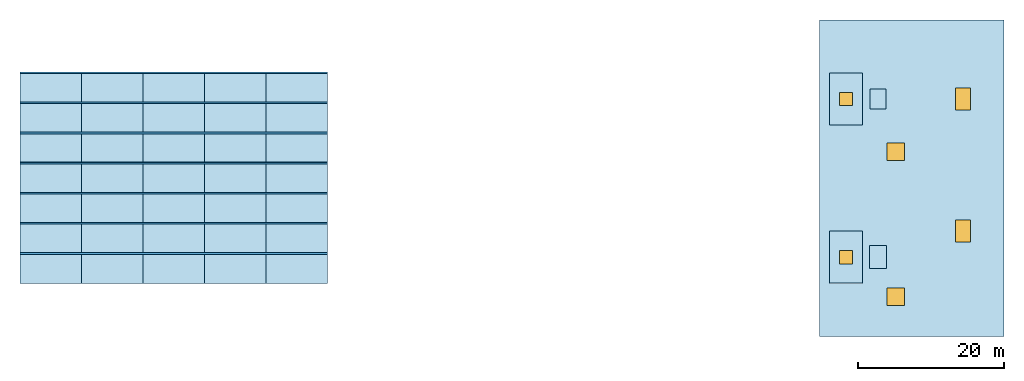
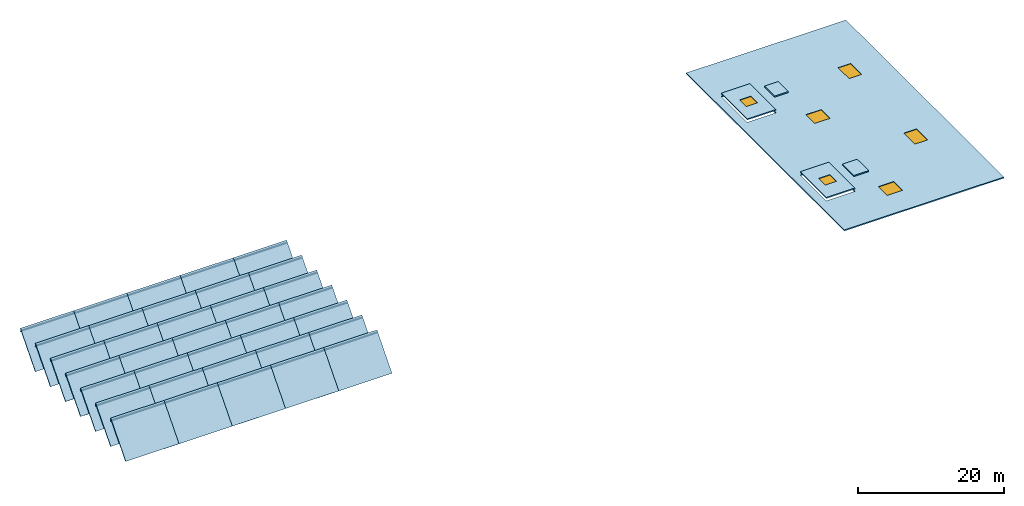
# One storey: 40 slabs, 7 beams, 6 windows, 6 openings.
"""IFC4 building model written with IfcOpenShell, lengths in metres."""

from ifc_helpers import new_model, si_unit, derived_unit, direction, frame, origin, origin_2d, place, context, subcontext, project, spatial, polyline, rectangle, i_section, outline, extrude, material, layer, layer_set, material_profile, profile_set, type_object, element, fill, save


model = new_model("IFC4")

# Units and contexts
model_context = context("Model", 3, precision=1e-05, world=origin(), true_north=direction((0.0, 1.0)))
body_context = subcontext(model_context, "Body", "Model", "MODEL_VIEW")
ifc_project = project(units=[si_unit("LENGTHUNIT", "METRE"), si_unit("AREAUNIT", "SQUARE_METRE"), si_unit("VOLUMEUNIT", "CUBIC_METRE"), si_unit("PLANEANGLEUNIT", "RADIAN"), si_unit("MASSUNIT", "GRAM", prefix="KILO"), derived_unit("THERMALTRANSMITTANCEUNIT", [(si_unit("MASSUNIT", "GRAM", prefix="KILO"), 1), (si_unit("TIMEUNIT", "SECOND"), -3), (si_unit("THERMODYNAMICTEMPERATUREUNIT", "KELVIN"), -1)])], contexts=[model_context])

# Site, building, storey
site_placement = place(None, origin())
site = spatial("IfcSite", under=ifc_project, at=site_placement, CompositionType="ELEMENT")
building_placement = place(site_placement, origin())
building = spatial("IfcBuilding", under=site, at=building_placement, Name="Kharveza Railside Sports Centre", CompositionType="ELEMENT")
storey_placement = place(building_placement, frame((0.0, 0.0, 21.300048828125)))
storey = spatial("IfcBuildingStorey", under=building, at=storey_placement, Name="RF", CompositionType="ELEMENT", Elevation=21.300048828125)

# Beams
ifc_material_1 = material(Name="Steel S355J2", Category="steel")
ifc_material_profile = material_profile(ifc_material_1, i_section(OverallWidth=0.219970703125, OverallDepth=0.2099609375, WebThickness=0.007080078125, FlangeThickness=0.010986328125, FilletRadius=0.01806640625, at=origin_2d()), Name="HEA 220")
ifc_profile_set = profile_set([ifc_material_profile], Name="Steel S355J2")
beam_type = type_object("IfcBeamType", Name="BM-J04", PredefinedType="JOIST", material=ifc_profile_set)
for number, where, z_axis, x_axis, name in (
    (1, (33.60009765625, 40.1142578125, -0.43994140625), (1.0, 0.0, 0.0), (0.0, 1.0, 0.0), "BM-V1SAW-RDG-1"),
    (2, (33.60009765625, 44.228515625, -0.43994140625), (1.0, 0.0, 0.0), (0.0, 1.0, 0.0), "BM-V1SAW-RDG-2"),
    (3, (33.60009765625, 48.343017578125, -0.43994140625), (1.0, 0.0, 0.0), (0.0, 1.0, 0.0), "BM-V1SAW-RDG-3"),
    (4, (33.60009765625, 52.45703125, -0.43994140625), (1.0, 0.0, 0.0), (0.0, 1.0, 0.0), "BM-V1SAW-RDG-4"),
    (5, (33.60009765625, 56.5712890625, -0.43994140625), (1.0, 0.0, 0.0), (0.0, 1.0, 0.0), "BM-V1SAW-RDG-5"),
    (6, (33.60009765625, 60.685791015625, -0.43994140625), (1.0, 0.0, 0.0), (0.0, 1.0, 0.0), "BM-V1SAW-RDG-6"),
    (7, (33.60009765625, 64.800048828125, -0.43994140625), (1.0, 0.0, 0.0), (0.0, 1.0, 0.0), "BM-V1SAW-RDG-7"),
):
    element("IfcBeam", number, at=place(storey_placement, frame(where, z_axis=z_axis, x_axis=x_axis)), inside=storey, type_object=beam_type, Name=name, PredefinedType="JOIST", context=body_context, shape_type="SweptSolid", body=[
        extrude(i_section(OverallWidth=0.219970703125, OverallDepth=0.2099609375, WebThickness=0.007080078125, FlangeThickness=0.010986328125, FilletRadius=0.01806640625, at=origin_2d()), origin(), (0.0, 0.0, 1.0), 42.0),
    ])

# Slabs
ifc_material_2 = material(Name="Insulated standing-seam zinc-aluminium roof panel", Category="aluminium")
ifc_layer_1 = layer(ifc_material_2, 0.155029296875, Name="Insulated standing-seam zinc-aluminium roof panel")
ifc_layer_set_1 = layer_set([ifc_layer_1], Name="Insulated standing-seam zinc-aluminium roof panel")
slab_type_1 = type_object("IfcSlabType", Name="SL-RF155", PredefinedType="ROOF", material=ifc_layer_set_1)
for number, where, z_axis, x_axis, name in (
    (8, (33.60009765625, 36.0, -4.75), (0.0, -0.755878768602, 0.654711606111), (1.0, 0.0, 0.0), "Main Drum Sawtooth Roof Bay 1-1"),
    (9, (42.0, 36.0, -4.75), (0.0, -0.755878768602, 0.654711606111), (1.0, 0.0, 0.0), "Main Drum Sawtooth Roof Bay 1-2"),
):
    element("IfcSlab", number, at=place(storey_placement, frame(where, z_axis=z_axis, x_axis=x_axis)), inside=storey, type_object=slab_type_1, Name=name, PredefinedType="ROOF", context=body_context, shape_type="SweptSolid", body=[
        extrude(outline(polyline([(0.0, 0.0), (8.39990234375, 0.0), (8.39990234375, 6.284076491236981), (0.0, 6.284076491236981), (0.0, 0.0)])), origin(), (0.0, 0.0, -1.0), 0.155029296875),
    ])
slab_1_placement = place(storey_placement, frame((50.39990234375, 36.0, -4.75), z_axis=(0.0, -0.755878768602, 0.654711606111), x_axis=(1.0, 0.0, 0.0)))
element("IfcSlab", 10, at=slab_1_placement, inside=storey, type_object=slab_type_1, Name="Main Drum Sawtooth Roof Bay 1-3", PredefinedType="ROOF", context=body_context, shape_type="SweptSolid", body=[
    extrude(outline(polyline([(0.0, 0.0), (8.400146484375, 0.0), (8.400146484375, 6.284076491236981), (0.0, 6.284076491236981), (0.0, 0.0)])), origin(), (0.0, 0.0, -1.0), 0.155029296875),
])
slab_2_placement = place(storey_placement, frame((58.800048828125, 36.0, -4.75), z_axis=(0.0, -0.755878768602, 0.654711606111), x_axis=(1.0, 0.0, 0.0)))
element("IfcSlab", 11, at=slab_2_placement, inside=storey, type_object=slab_type_1, Name="Main Drum Sawtooth Roof Bay 1-4", PredefinedType="ROOF", context=body_context, shape_type="SweptSolid", body=[
    extrude(outline(polyline([(0.0, 0.0), (8.39990234375, 0.0), (8.39990234375, 6.284076491236981), (0.0, 6.284076491236981), (0.0, 0.0)])), origin(), (0.0, 0.0, -1.0), 0.155029296875),
])
slab_3_placement = place(storey_placement, frame((67.199951171875, 36.0, -4.75), z_axis=(0.0, -0.755878768602, 0.654711606111), x_axis=(1.0, 0.0, 0.0)))
element("IfcSlab", 12, at=slab_3_placement, inside=storey, type_object=slab_type_1, Name="Main Drum Sawtooth Roof Bay 1-5", PredefinedType="ROOF", context=body_context, shape_type="SweptSolid", body=[
    extrude(outline(polyline([(0.0, 0.0), (8.400146484375, 0.0), (8.400146484375, 6.284076491236981), (0.0, 6.284076491236981), (0.0, 0.0)])), origin(), (0.0, 0.0, -1.0), 0.155029296875),
])
for number, where, z_axis, x_axis, name in (
    (13, (33.60009765625, 40.1142578125, -4.75), (0.0, -0.755878768602, 0.654711606111), (1.0, 0.0, 0.0), "Main Drum Sawtooth Roof Bay 2-1"),
    (14, (42.0, 40.1142578125, -4.75), (0.0, -0.755878768602, 0.654711606111), (1.0, 0.0, 0.0), "Main Drum Sawtooth Roof Bay 2-2"),
):
    element("IfcSlab", number, at=place(storey_placement, frame(where, z_axis=z_axis, x_axis=x_axis)), inside=storey, type_object=slab_type_1, Name=name, PredefinedType="ROOF", context=body_context, shape_type="SweptSolid", body=[
        extrude(outline(polyline([(0.0, 0.0), (8.39990234375, 0.0), (8.39990234375, 6.284076491236981), (0.0, 6.284076491236981), (0.0, 0.0)])), origin(), (0.0, 0.0, -1.0), 0.155029296875),
    ])
slab_4_placement = place(storey_placement, frame((50.39990234375, 40.1142578125, -4.75), z_axis=(0.0, -0.755878768602, 0.654711606111), x_axis=(1.0, 0.0, 0.0)))
element("IfcSlab", 15, at=slab_4_placement, inside=storey, type_object=slab_type_1, Name="Main Drum Sawtooth Roof Bay 2-3", PredefinedType="ROOF", context=body_context, shape_type="SweptSolid", body=[
    extrude(outline(polyline([(0.0, 0.0), (8.400146484375, 0.0), (8.400146484375, 6.284076491236981), (0.0, 6.284076491236981), (0.0, 0.0)])), origin(), (0.0, 0.0, -1.0), 0.155029296875),
])
slab_5_placement = place(storey_placement, frame((58.800048828125, 40.1142578125, -4.75), z_axis=(0.0, -0.755878768602, 0.654711606111), x_axis=(1.0, 0.0, 0.0)))
element("IfcSlab", 16, at=slab_5_placement, inside=storey, type_object=slab_type_1, Name="Main Drum Sawtooth Roof Bay 2-4", PredefinedType="ROOF", context=body_context, shape_type="SweptSolid", body=[
    extrude(outline(polyline([(0.0, 0.0), (8.39990234375, 0.0), (8.39990234375, 6.284076491236981), (0.0, 6.284076491236981), (0.0, 0.0)])), origin(), (0.0, 0.0, -1.0), 0.155029296875),
])
slab_6_placement = place(storey_placement, frame((67.199951171875, 40.1142578125, -4.75), z_axis=(0.0, -0.755878768602, 0.654711606111), x_axis=(1.0, 0.0, 0.0)))
element("IfcSlab", 17, at=slab_6_placement, inside=storey, type_object=slab_type_1, Name="Main Drum Sawtooth Roof Bay 2-5", PredefinedType="ROOF", context=body_context, shape_type="SweptSolid", body=[
    extrude(outline(polyline([(0.0, 0.0), (8.400146484375, 0.0), (8.400146484375, 6.284076491236981), (0.0, 6.284076491236981), (0.0, 0.0)])), origin(), (0.0, 0.0, -1.0), 0.155029296875),
])
for number, where, z_axis, x_axis, name in (
    (18, (33.60009765625, 44.228515625, -4.75), (0.0, -0.755859542242, 0.654733802703), (1.0, 0.0, 0.0), "Main Drum Sawtooth Roof Bay 3-1"),
    (19, (42.0, 44.228515625, -4.75), (0.0, -0.755859542242, 0.654733802703), (1.0, 0.0, 0.0), "Main Drum Sawtooth Roof Bay 3-2"),
):
    element("IfcSlab", number, at=place(storey_placement, frame(where, z_axis=z_axis, x_axis=x_axis)), inside=storey, type_object=slab_type_1, Name=name, PredefinedType="ROOF", context=body_context, shape_type="SweptSolid", body=[
        extrude(outline(polyline([(0.0, 0.0), (8.39990234375, 0.0), (8.39990234375, 6.284236335647272), (0.0, 6.284236335647272), (0.0, 0.0)])), origin(), (0.0, 0.0, -1.0), 0.155029296875),
    ])
slab_7_placement = place(storey_placement, frame((50.39990234375, 44.228515625, -4.75), z_axis=(0.0, -0.755859542242, 0.654733802703), x_axis=(1.0, 0.0, 0.0)))
element("IfcSlab", 20, at=slab_7_placement, inside=storey, type_object=slab_type_1, Name="Main Drum Sawtooth Roof Bay 3-3", PredefinedType="ROOF", context=body_context, shape_type="SweptSolid", body=[
    extrude(outline(polyline([(0.0, 0.0), (8.400146484375, 0.0), (8.400146484375, 6.284236335647272), (0.0, 6.284236335647272), (0.0, 0.0)])), origin(), (0.0, 0.0, -1.0), 0.155029296875),
])
slab_8_placement = place(storey_placement, frame((58.800048828125, 44.228515625, -4.75), z_axis=(0.0, -0.755859542242, 0.654733802703), x_axis=(1.0, 0.0, 0.0)))
element("IfcSlab", 21, at=slab_8_placement, inside=storey, type_object=slab_type_1, Name="Main Drum Sawtooth Roof Bay 3-4", PredefinedType="ROOF", context=body_context, shape_type="SweptSolid", body=[
    extrude(outline(polyline([(0.0, 0.0), (8.39990234375, 0.0), (8.39990234375, 6.284236335647272), (0.0, 6.284236335647272), (0.0, 0.0)])), origin(), (0.0, 0.0, -1.0), 0.155029296875),
])
slab_9_placement = place(storey_placement, frame((67.199951171875, 44.228515625, -4.75), z_axis=(0.0, -0.755859542242, 0.654733802703), x_axis=(1.0, 0.0, 0.0)))
element("IfcSlab", 22, at=slab_9_placement, inside=storey, type_object=slab_type_1, Name="Main Drum Sawtooth Roof Bay 3-5", PredefinedType="ROOF", context=body_context, shape_type="SweptSolid", body=[
    extrude(outline(polyline([(0.0, 0.0), (8.400146484375, 0.0), (8.400146484375, 6.284236335647272), (0.0, 6.284236335647272), (0.0, 0.0)])), origin(), (0.0, 0.0, -1.0), 0.155029296875),
])
for number, where, z_axis, x_axis, name in (
    (23, (33.60009765625, 48.343017578125, -4.75), (0.0, -0.75589799529, 0.654689407824), (1.0, 0.0, 0.0), "Main Drum Sawtooth Roof Bay 4-1"),
    (24, (42.0, 48.343017578125, -4.75), (0.0, -0.75589799529, 0.654689407824), (1.0, 0.0, 0.0), "Main Drum Sawtooth Roof Bay 4-2"),
):
    element("IfcSlab", number, at=place(storey_placement, frame(where, z_axis=z_axis, x_axis=x_axis)), inside=storey, type_object=slab_type_1, Name=name, PredefinedType="ROOF", context=body_context, shape_type="SweptSolid", body=[
        extrude(outline(polyline([(0.0, 0.0), (8.39990234375, 0.0), (8.39990234375, 6.283916652245988), (0.0, 6.283916652245988), (0.0, 0.0)])), origin(), (0.0, 0.0, -1.0), 0.155029296875),
    ])
slab_10_placement = place(storey_placement, frame((50.39990234375, 48.343017578125, -4.75), z_axis=(0.0, -0.75589799529, 0.654689407824), x_axis=(1.0, 0.0, 0.0)))
element("IfcSlab", 25, at=slab_10_placement, inside=storey, type_object=slab_type_1, Name="Main Drum Sawtooth Roof Bay 4-3", PredefinedType="ROOF", context=body_context, shape_type="SweptSolid", body=[
    extrude(outline(polyline([(0.0, 0.0), (8.400146484375, 0.0), (8.400146484375, 6.2839166522459875), (0.0, 6.2839166522459875), (0.0, 0.0)])), origin(), (0.0, 0.0, -1.0), 0.155029296875),
])
slab_11_placement = place(storey_placement, frame((58.800048828125, 48.343017578125, -4.75), z_axis=(0.0, -0.75589799529, 0.654689407824), x_axis=(1.0, 0.0, 0.0)))
element("IfcSlab", 26, at=slab_11_placement, inside=storey, type_object=slab_type_1, Name="Main Drum Sawtooth Roof Bay 4-4", PredefinedType="ROOF", context=body_context, shape_type="SweptSolid", body=[
    extrude(outline(polyline([(0.0, 0.0), (8.39990234375, 0.0), (8.39990234375, 6.283916652245988), (0.0, 6.283916652245988), (0.0, 0.0)])), origin(), (0.0, 0.0, -1.0), 0.155029296875),
])
slab_12_placement = place(storey_placement, frame((67.199951171875, 48.343017578125, -4.75), z_axis=(0.0, -0.75589799529, 0.654689407824), x_axis=(1.0, 0.0, 0.0)))
element("IfcSlab", 27, at=slab_12_placement, inside=storey, type_object=slab_type_1, Name="Main Drum Sawtooth Roof Bay 4-5", PredefinedType="ROOF", context=body_context, shape_type="SweptSolid", body=[
    extrude(outline(polyline([(0.0, 0.0), (8.400146484375, 0.0), (8.400146484375, 6.2839166522459875), (0.0, 6.2839166522459875), (0.0, 0.0)])), origin(), (0.0, 0.0, -1.0), 0.155029296875),
])
for number, where, z_axis, x_axis, name in (
    (28, (33.60009765625, 52.45703125, -4.75), (0.0, -0.755878768602, 0.654711606111), (1.0, 0.0, 0.0), "Main Drum Sawtooth Roof Bay 5-1"),
    (29, (42.0, 52.45703125, -4.75), (0.0, -0.755878768602, 0.654711606111), (1.0, 0.0, 0.0), "Main Drum Sawtooth Roof Bay 5-2"),
):
    element("IfcSlab", number, at=place(storey_placement, frame(where, z_axis=z_axis, x_axis=x_axis)), inside=storey, type_object=slab_type_1, Name=name, PredefinedType="ROOF", context=body_context, shape_type="SweptSolid", body=[
        extrude(outline(polyline([(0.0, 0.0), (8.39990234375, 0.0), (8.39990234375, 6.284076491236981), (0.0, 6.284076491236981), (0.0, 0.0)])), origin(), (0.0, 0.0, -1.0), 0.155029296875),
    ])
slab_13_placement = place(storey_placement, frame((50.39990234375, 52.45703125, -4.75), z_axis=(0.0, -0.755878768602, 0.654711606111), x_axis=(1.0, 0.0, 0.0)))
element("IfcSlab", 30, at=slab_13_placement, inside=storey, type_object=slab_type_1, Name="Main Drum Sawtooth Roof Bay 5-3", PredefinedType="ROOF", context=body_context, shape_type="SweptSolid", body=[
    extrude(outline(polyline([(0.0, 0.0), (8.400146484375, 0.0), (8.400146484375, 6.284076491236981), (0.0, 6.284076491236981), (0.0, 0.0)])), origin(), (0.0, 0.0, -1.0), 0.155029296875),
])
slab_14_placement = place(storey_placement, frame((58.800048828125, 52.45703125, -4.75), z_axis=(0.0, -0.755878768602, 0.654711606111), x_axis=(1.0, 0.0, 0.0)))
element("IfcSlab", 31, at=slab_14_placement, inside=storey, type_object=slab_type_1, Name="Main Drum Sawtooth Roof Bay 5-4", PredefinedType="ROOF", context=body_context, shape_type="SweptSolid", body=[
    extrude(outline(polyline([(0.0, 0.0), (8.39990234375, 0.0), (8.39990234375, 6.284076491236981), (0.0, 6.284076491236981), (0.0, 0.0)])), origin(), (0.0, 0.0, -1.0), 0.155029296875),
])
slab_15_placement = place(storey_placement, frame((67.199951171875, 52.45703125, -4.75), z_axis=(0.0, -0.755878768602, 0.654711606111), x_axis=(1.0, 0.0, 0.0)))
element("IfcSlab", 32, at=slab_15_placement, inside=storey, type_object=slab_type_1, Name="Main Drum Sawtooth Roof Bay 5-5", PredefinedType="ROOF", context=body_context, shape_type="SweptSolid", body=[
    extrude(outline(polyline([(0.0, 0.0), (8.400146484375, 0.0), (8.400146484375, 6.284076491236981), (0.0, 6.284076491236981), (0.0, 0.0)])), origin(), (0.0, 0.0, -1.0), 0.155029296875),
])
for number, where, z_axis, x_axis, name in (
    (33, (33.60009765625, 56.5712890625, -4.75), (0.0, -0.755859542242, 0.654733802703), (1.0, 0.0, 0.0), "Main Drum Sawtooth Roof Bay 6-1"),
    (34, (42.0, 56.5712890625, -4.75), (0.0, -0.755859542242, 0.654733802703), (1.0, 0.0, 0.0), "Main Drum Sawtooth Roof Bay 6-2"),
):
    element("IfcSlab", number, at=place(storey_placement, frame(where, z_axis=z_axis, x_axis=x_axis)), inside=storey, type_object=slab_type_1, Name=name, PredefinedType="ROOF", context=body_context, shape_type="SweptSolid", body=[
        extrude(outline(polyline([(0.0, 0.0), (8.39990234375, 0.0), (8.39990234375, 6.284236335647272), (0.0, 6.284236335647272), (0.0, 0.0)])), origin(), (0.0, 0.0, -1.0), 0.155029296875),
    ])
slab_16_placement = place(storey_placement, frame((50.39990234375, 56.5712890625, -4.75), z_axis=(0.0, -0.755859542242, 0.654733802703), x_axis=(1.0, 0.0, 0.0)))
element("IfcSlab", 35, at=slab_16_placement, inside=storey, type_object=slab_type_1, Name="Main Drum Sawtooth Roof Bay 6-3", PredefinedType="ROOF", context=body_context, shape_type="SweptSolid", body=[
    extrude(outline(polyline([(0.0, 0.0), (8.400146484375, 0.0), (8.400146484375, 6.284236335647272), (0.0, 6.284236335647272), (0.0, 0.0)])), origin(), (0.0, 0.0, -1.0), 0.155029296875),
])
slab_17_placement = place(storey_placement, frame((58.800048828125, 56.5712890625, -4.75), z_axis=(0.0, -0.755859542242, 0.654733802703), x_axis=(1.0, 0.0, 0.0)))
element("IfcSlab", 36, at=slab_17_placement, inside=storey, type_object=slab_type_1, Name="Main Drum Sawtooth Roof Bay 6-4", PredefinedType="ROOF", context=body_context, shape_type="SweptSolid", body=[
    extrude(outline(polyline([(0.0, 0.0), (8.39990234375, 0.0), (8.39990234375, 6.284236335647272), (0.0, 6.284236335647272), (0.0, 0.0)])), origin(), (0.0, 0.0, -1.0), 0.155029296875),
])
slab_18_placement = place(storey_placement, frame((67.199951171875, 56.5712890625, -4.75), z_axis=(0.0, -0.755859542242, 0.654733802703), x_axis=(1.0, 0.0, 0.0)))
element("IfcSlab", 37, at=slab_18_placement, inside=storey, type_object=slab_type_1, Name="Main Drum Sawtooth Roof Bay 6-5", PredefinedType="ROOF", context=body_context, shape_type="SweptSolid", body=[
    extrude(outline(polyline([(0.0, 0.0), (8.400146484375, 0.0), (8.400146484375, 6.284236335647272), (0.0, 6.284236335647272), (0.0, 0.0)])), origin(), (0.0, 0.0, -1.0), 0.155029296875),
])
for number, where, z_axis, x_axis, name in (
    (38, (33.60009765625, 60.685791015625, -4.75), (0.0, -0.755878768602, 0.654711606111), (1.0, 0.0, 0.0), "Main Drum Sawtooth Roof Bay 7-1"),
    (39, (42.0, 60.685791015625, -4.75), (0.0, -0.755878768602, 0.654711606111), (1.0, 0.0, 0.0), "Main Drum Sawtooth Roof Bay 7-2"),
):
    element("IfcSlab", number, at=place(storey_placement, frame(where, z_axis=z_axis, x_axis=x_axis)), inside=storey, type_object=slab_type_1, Name=name, PredefinedType="ROOF", context=body_context, shape_type="SweptSolid", body=[
        extrude(outline(polyline([(0.0, 0.0), (8.39990234375, 0.0), (8.39990234375, 6.284076491236981), (0.0, 6.284076491236981), (0.0, 0.0)])), origin(), (0.0, 0.0, -1.0), 0.155029296875),
    ])
slab_19_placement = place(storey_placement, frame((50.39990234375, 60.685791015625, -4.75), z_axis=(0.0, -0.755878768602, 0.654711606111), x_axis=(1.0, 0.0, 0.0)))
element("IfcSlab", 40, at=slab_19_placement, inside=storey, type_object=slab_type_1, Name="Main Drum Sawtooth Roof Bay 7-3", PredefinedType="ROOF", context=body_context, shape_type="SweptSolid", body=[
    extrude(outline(polyline([(0.0, 0.0), (8.400146484375, 0.0), (8.400146484375, 6.284076491236981), (0.0, 6.284076491236981), (0.0, 0.0)])), origin(), (0.0, 0.0, -1.0), 0.155029296875),
])
slab_20_placement = place(storey_placement, frame((58.800048828125, 60.685791015625, -4.75), z_axis=(0.0, -0.755878768602, 0.654711606111), x_axis=(1.0, 0.0, 0.0)))
element("IfcSlab", 41, at=slab_20_placement, inside=storey, type_object=slab_type_1, Name="Main Drum Sawtooth Roof Bay 7-4", PredefinedType="ROOF", context=body_context, shape_type="SweptSolid", body=[
    extrude(outline(polyline([(0.0, 0.0), (8.39990234375, 0.0), (8.39990234375, 6.284076491236981), (0.0, 6.284076491236981), (0.0, 0.0)])), origin(), (0.0, 0.0, -1.0), 0.155029296875),
])
slab_21_placement = place(storey_placement, frame((67.199951171875, 60.685791015625, -4.75), z_axis=(0.0, -0.755878768602, 0.654711606111), x_axis=(1.0, 0.0, 0.0)))
element("IfcSlab", 42, at=slab_21_placement, inside=storey, type_object=slab_type_1, Name="Main Drum Sawtooth Roof Bay 7-5", PredefinedType="ROOF", context=body_context, shape_type="SweptSolid", body=[
    extrude(outline(polyline([(0.0, 0.0), (8.400146484375, 0.0), (8.400146484375, 6.284076491236981), (0.0, 6.284076491236981), (0.0, 0.0)])), origin(), (0.0, 0.0, -1.0), 0.155029296875),
])

# Slab, openings, windows
ifc_layer_2 = layer(ifc_material_2, 0.18994140625, Name="Insulated standing-seam zinc-aluminium roof panel")
ifc_layer_set_2 = layer_set([ifc_layer_2], Name="Insulated standing-seam zinc-aluminium roof panel")
slab_type_2 = type_object("IfcSlabType", Name="SL-RF190", PredefinedType="ROOF", material=ifc_layer_set_2)
slab_22_placement = place(storey_placement, frame((0.0, 0.0, -0.18994140625)))
slab_22 = element("IfcSlab", 43, at=slab_22_placement, inside=storey, type_object=slab_type_2, Name="SLB-RF-PAVILION", PredefinedType="ROOF", context=body_context, shape_type="SweptSolid", body=[
    extrude(outline(polyline([(168.0, 72.0), (168.0, 28.800048828125), (142.800048828125, 28.800048828125), (142.800048828125, 72.0), (168.0, 72.0)]), holes=[polyline([(148.659912109375, 43.159912109375), (144.139892578125, 43.159912109375), (144.139892578125, 36.0400390625), (148.659912109375, 36.0400390625), (148.659912109375, 43.159912109375)]), polyline([(148.659912109375, 57.639892578125), (148.659912109375, 64.760009765625), (144.139892578125, 64.760009765625), (144.139892578125, 57.639892578125), (148.659912109375, 57.639892578125)])]), origin(), (0.0, 0.0, 1.0), 0.18994140625),
])
opening_1_placement = place(slab_22_placement, frame((153.199951171875, 34.199951171875, -0.02490234375)))
opening_1 = element("IfcOpeningElement", 44, at=opening_1_placement, cuts=slab_22, Name="Opening SK01", PredefinedType="OPENING", context=body_context, shape_type="SweptSolid", body=[
    extrude(rectangle(XDim=2.39990234375, YDim=2.39990234375, at=origin_2d()), origin(), (0.0, 0.0, 1.0), 0.23974609375),
])
opening_2_placement = place(slab_22_placement, frame((153.199951171875, 54.0, -0.02490234375)))
opening_2 = element("IfcOpeningElement", 45, at=opening_2_placement, cuts=slab_22, Name="Opening SK01", PredefinedType="OPENING", context=body_context, shape_type="SweptSolid", body=[
    extrude(rectangle(XDim=2.39990234375, YDim=2.39990234375, at=origin_2d()), origin(), (0.0, 0.0, 1.0), 0.23974609375),
])
opening_3_placement = place(slab_22_placement, frame((162.39990234375, 43.199951171875, -0.02490234375)))
opening_3 = element("IfcOpeningElement", 46, at=opening_3_placement, cuts=slab_22, Name="Opening SK02", PredefinedType="OPENING", context=body_context, shape_type="SweptSolid", body=[
    extrude(rectangle(XDim=2.0, YDim=3.0, at=origin_2d()), origin(), (0.0, 0.0, 1.0), 0.23974609375),
])
opening_4_placement = place(slab_22_placement, frame((162.39990234375, 61.199951171875, -0.02490234375)))
opening_4 = element("IfcOpeningElement", 47, at=opening_4_placement, cuts=slab_22, Name="Opening SK02", PredefinedType="OPENING", context=body_context, shape_type="SweptSolid", body=[
    extrude(rectangle(XDim=2.0, YDim=3.0, at=origin_2d()), origin(), (0.0, 0.0, 1.0), 0.23974609375),
])
ifc_material_3 = material(Name="Low-E solar-control laminated glass", Category="glass")
window_type_1 = type_object("IfcWindowType", Name="WN-SK01", PartitioningType="SINGLE_PANEL", PredefinedType="SKYLIGHT", material=ifc_material_3)
window_1_placement = place(slab_22_placement, frame((153.199951171875, 34.199951171875, 0.06982421875)))
window_1 = element("IfcWindow", 48, at=window_1_placement, inside=storey, type_object=window_type_1, Name="WN-SK-PAV-1", OverallHeight=2.39990234375, OverallWidth=2.39990234375, PartitioningType="SINGLE_PANEL", PredefinedType="SKYLIGHT", context=body_context, shape_type="SweptSolid", body=[
    extrude(rectangle(XDim=2.39990234375, YDim=2.39990234375, at=origin_2d()), origin(), (0.0, 0.0, 1.0), 0.050048828125),
])
fill(opening_1, window_1)
window_2_placement = place(slab_22_placement, frame((153.199951171875, 54.0, 0.06982421875)))
window_2 = element("IfcWindow", 49, at=window_2_placement, inside=storey, type_object=window_type_1, Name="WN-SK-PAV-2", OverallHeight=2.39990234375, OverallWidth=2.39990234375, PartitioningType="SINGLE_PANEL", PredefinedType="SKYLIGHT", context=body_context, shape_type="SweptSolid", body=[
    extrude(rectangle(XDim=2.39990234375, YDim=2.39990234375, at=origin_2d()), origin(), (0.0, 0.0, 1.0), 0.050048828125),
])
fill(opening_2, window_2)
window_type_2 = type_object("IfcWindowType", Name="WN-SK02", PartitioningType="SINGLE_PANEL", PredefinedType="SKYLIGHT", material=ifc_material_3)
window_3_placement = place(slab_22_placement, frame((162.39990234375, 43.199951171875, 0.06982421875)))
window_3 = element("IfcWindow", 50, at=window_3_placement, inside=storey, type_object=window_type_2, Name="WN-SK-PAV-3", OverallHeight=3.0, OverallWidth=2.0, PartitioningType="SINGLE_PANEL", PredefinedType="SKYLIGHT", context=body_context, shape_type="SweptSolid", body=[
    extrude(rectangle(XDim=2.0, YDim=3.0, at=origin_2d()), origin(), (0.0, 0.0, 1.0), 0.050048828125),
])
fill(opening_3, window_3)
window_4_placement = place(slab_22_placement, frame((162.39990234375, 61.199951171875, 0.06982421875)))
window_4 = element("IfcWindow", 51, at=window_4_placement, inside=storey, type_object=window_type_2, Name="WN-SK-PAV-4", OverallHeight=3.0, OverallWidth=2.0, PartitioningType="SINGLE_PANEL", PredefinedType="SKYLIGHT", context=body_context, shape_type="SweptSolid", body=[
    extrude(rectangle(XDim=2.0, YDim=3.0, at=origin_2d()), origin(), (0.0, 0.0, 1.0), 0.050048828125),
])
fill(opening_4, window_4)

# Slab, opening, window
slab_23_placement = place(storey_placement, frame((0.0, 0.0, 0.35986328125)))
slab_23 = element("IfcSlab", 52, at=slab_23_placement, inside=storey, type_object=slab_type_2, Name="SLB-STCAP-ST1", PredefinedType="ROOF", context=body_context, shape_type="SweptSolid", body=[
    extrude(outline(polyline([(144.14990234375, 36.050048828125), (148.64990234375, 36.050048828125), (148.64990234375, 43.14990234375), (144.14990234375, 43.14990234375), (144.14990234375, 36.050048828125)])), origin(), (0.0, 0.0, 1.0), 0.190185546875),
])
opening_5_placement = place(slab_23_placement, frame((146.39990234375, 39.60009765625, -0.02490234375)))
opening_5 = element("IfcOpeningElement", 53, at=opening_5_placement, cuts=slab_23, Name="Opening SK03", PredefinedType="OPENING", context=body_context, shape_type="SweptSolid", body=[
    extrude(rectangle(XDim=1.800048828125, YDim=1.800048828125, at=origin_2d()), origin(), (0.0, 0.0, 1.0), 0.239990234375),
])
window_type_3 = type_object("IfcWindowType", Name="WN-SK03", PartitioningType="SINGLE_PANEL", PredefinedType="SKYLIGHT", material=ifc_material_3)
window_5_placement = place(slab_23_placement, frame((146.39990234375, 39.60009765625, 0.070068359375)))
window_5 = element("IfcWindow", 54, at=window_5_placement, inside=storey, type_object=window_type_3, Name="WN-SK-ST-ST1", OverallHeight=1.800048828125, OverallWidth=1.800048828125, PartitioningType="SINGLE_PANEL", PredefinedType="SKYLIGHT", context=body_context, shape_type="SweptSolid", body=[
    extrude(rectangle(XDim=1.800048828125, YDim=1.800048828125, at=origin_2d()), origin(), (0.0, 0.0, 1.0), 0.050048828125),
])
fill(opening_5, window_5)

slab_24_placement = place(storey_placement, frame((0.0, 0.0, 0.35986328125)))
slab_24 = element("IfcSlab", 55, at=slab_24_placement, inside=storey, type_object=slab_type_2, Name="SLB-STCAP-ST2", PredefinedType="ROOF", context=body_context, shape_type="SweptSolid", body=[
    extrude(outline(polyline([(144.14990234375, 57.64990234375), (148.64990234375, 57.64990234375), (148.64990234375, 64.75), (144.14990234375, 64.75), (144.14990234375, 57.64990234375)])), origin(), (0.0, 0.0, 1.0), 0.190185546875),
])
opening_6_placement = place(slab_24_placement, frame((146.39990234375, 61.199951171875, -0.02490234375)))
opening_6 = element("IfcOpeningElement", 56, at=opening_6_placement, cuts=slab_24, Name="Opening SK03", PredefinedType="OPENING", context=body_context, shape_type="SweptSolid", body=[
    extrude(rectangle(XDim=1.800048828125, YDim=1.800048828125, at=origin_2d()), origin(), (0.0, 0.0, 1.0), 0.239990234375),
])
window_6_placement = place(slab_24_placement, frame((146.39990234375, 61.199951171875, 0.070068359375)))
window_6 = element("IfcWindow", 57, at=window_6_placement, inside=storey, type_object=window_type_3, Name="WN-SK-ST-ST2", OverallHeight=1.800048828125, OverallWidth=1.800048828125, PartitioningType="SINGLE_PANEL", PredefinedType="SKYLIGHT", context=body_context, shape_type="SweptSolid", body=[
    extrude(rectangle(XDim=1.800048828125, YDim=1.800048828125, at=origin_2d()), origin(), (0.0, 0.0, 1.0), 0.050048828125),
])
fill(opening_6, window_6)

# Slabs
slab_25_placement = place(storey_placement, frame((0.0, 0.0, 0.89990234375)))
element("IfcSlab", 58, at=slab_25_placement, inside=storey, type_object=slab_type_2, Name="SLB-LFOVR-LF1", PredefinedType="ROOF", context=body_context, shape_type="SweptSolid", body=[
    extrude(outline(polyline([(149.625, 38.02490234375), (151.97509765625, 38.02490234375), (151.97509765625, 41.175048828125), (149.625, 41.175048828125), (149.625, 38.02490234375)])), origin(), (0.0, 0.0, 1.0), 0.18994140625),
])
slab_26_placement = place(storey_placement, frame((0.0, 0.0, 0.89990234375)))
element("IfcSlab", 59, at=slab_26_placement, inside=storey, type_object=slab_type_2, Name="SLB-LFOVR-LF2", PredefinedType="ROOF", context=body_context, shape_type="SweptSolid", body=[
    extrude(outline(polyline([(149.72509765625, 59.824951171875), (151.875, 59.824951171875), (151.875, 62.574951171875), (149.72509765625, 62.574951171875), (149.72509765625, 59.824951171875)])), origin(), (0.0, 0.0, 1.0), 0.18994140625),
])

save(model, "model.ifc")
